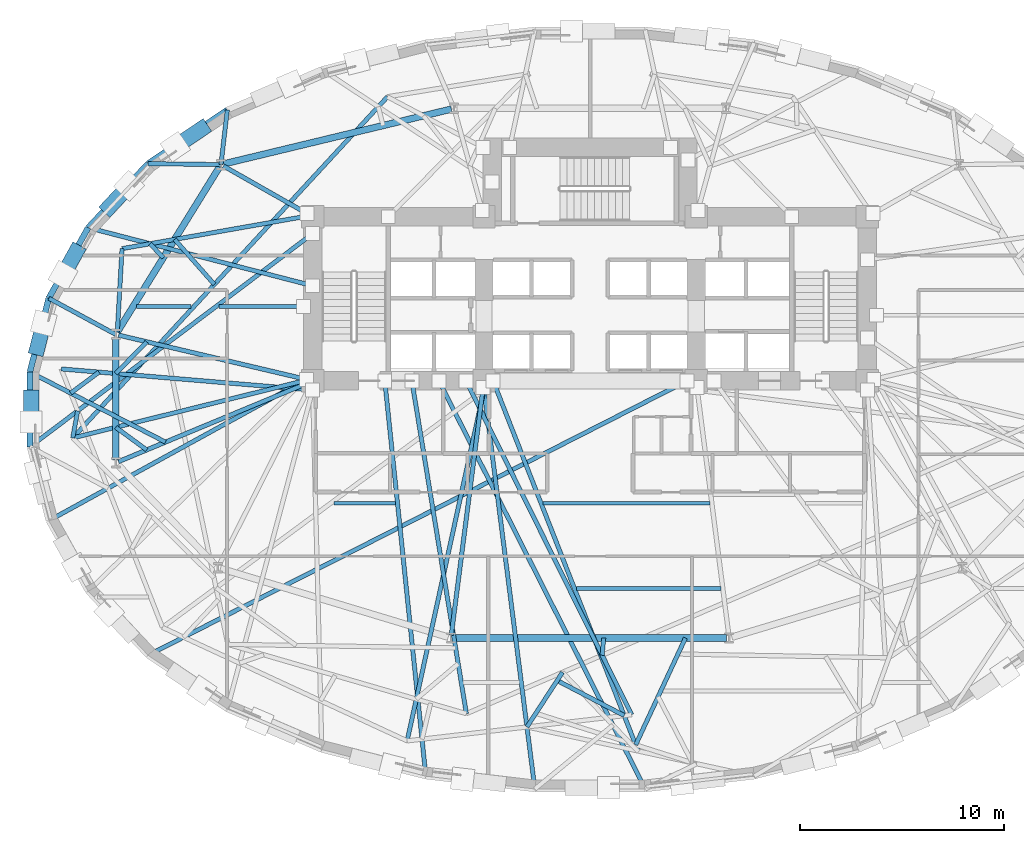
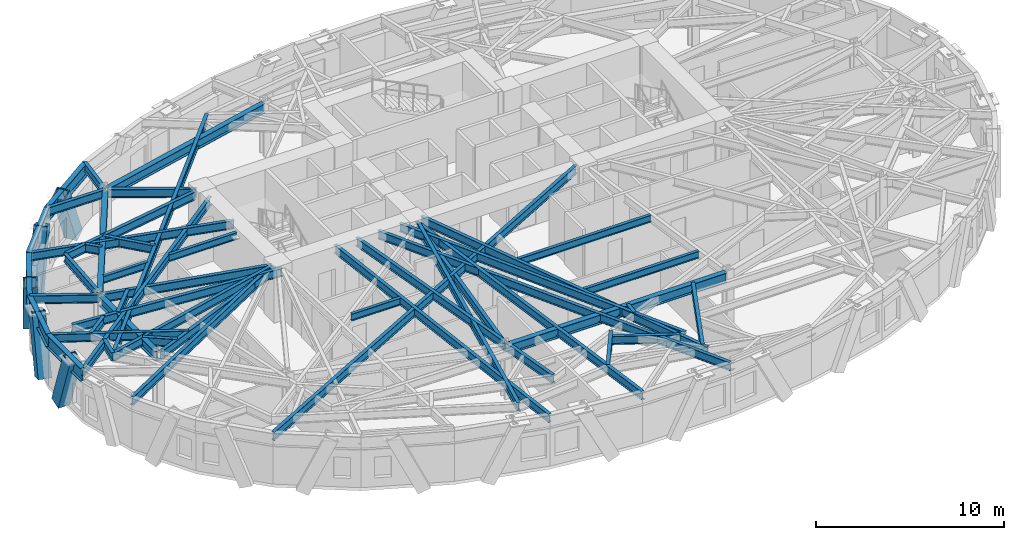
# One storey, part 2 of 14: 48 beams, 5 members.
"""IFC4 building model written with IfcOpenShell, lengths in metres."""

from ifc_helpers import new_model, si_unit, direction, frame, origin, origin_2d, place, context, subcontext, project, spatial, hollow_rectangle, i_section, extrude, material, material_profile, profile_set, type_object, element, save


model = new_model("IFC4")

# Units and contexts
model_context = context("Model", 3, precision=1e-05, world=origin(), true_north=direction((0.0, 1.0)))
body_context = subcontext(model_context, "Body", "Model", "MODEL_VIEW")
ifc_project = project(units=[si_unit("LENGTHUNIT", "METRE"), si_unit("AREAUNIT", "SQUARE_METRE"), si_unit("VOLUMEUNIT", "CUBIC_METRE"), si_unit("PLANEANGLEUNIT", "RADIAN"), si_unit("MASSUNIT", "GRAM", prefix="KILO")], contexts=[model_context])

# Site, building, storey
site_placement = place(None, origin())
site = spatial("IfcSite", under=ifc_project, at=site_placement, CompositionType="ELEMENT")
building_placement = place(site_placement, origin())
building = spatial("IfcBuilding", under=site, at=building_placement, Name="Keldmark Tower", CompositionType="ELEMENT")
storey_placement = place(building_placement, frame((0.0, 0.0, 41.39990234375)))
storey = spatial("IfcBuildingStorey", under=building, at=storey_placement, Name="L10", CompositionType="ELEMENT", Elevation=41.39990234375)

# Beams
ifc_material_1 = material(Name="Steel ASTM A992 Grade 50", Category="steel")
ifc_material_profile_1 = material_profile(ifc_material_1, i_section(OverallWidth=0.19091796875, OverallDepth=0.45703125, WebThickness=0.009033203125, FlangeThickness=0.014404296875, at=origin_2d()), Name="W18X50")
ifc_profile_set_1 = profile_set([ifc_material_profile_1], Name="Steel ASTM A992 Grade 50")
beam_type_1 = type_object("IfcBeamType", Name="Composite Floor Joist W18X50", PredefinedType="JOIST", material=ifc_profile_set_1)
beam_1_placement = place(storey_placement, frame((-0.66064453125, -8.780029296875, 3.171630859375), z_axis=(1.0, 0.0, 0.0), x_axis=(0.0, 1.0, 0.0)))
element("IfcBeam", 1, at=beam_1_placement, inside=storey, type_object=beam_type_1, Name="L10 Composite Floor Joist J05", PredefinedType="JOIST", context=body_context, shape_type="SweptSolid", body=[
    extrude(i_section(OverallWidth=0.19091796875, OverallDepth=0.45703125, WebThickness=0.009033203125, FlangeThickness=0.014404296875, at=origin_2d()), origin(), (0.0, 0.0, 1.0), 7.07177734375),
])
beam_2_placement = place(storey_placement, frame((-12.5537109375, -4.60009765625, 3.171630859375), z_axis=(1.0, 0.0, 0.0), x_axis=(0.0, 1.0, 0.0)))
element("IfcBeam", 2, at=beam_2_placement, inside=storey, type_object=beam_type_1, Name="L10 Composite Floor Joist J07", PredefinedType="JOIST", context=body_context, shape_type="SweptSolid", body=[
    extrude(i_section(OverallWidth=0.19091796875, OverallDepth=0.45703125, WebThickness=0.009033203125, FlangeThickness=0.014404296875, at=origin_2d()), origin(), (0.0, 0.0, 1.0), 3.016357421875),
])
beam_3_placement = place(storey_placement, frame((-2.29736328125, -4.60009765625, 3.171630859375), z_axis=(1.0, 0.0, 0.0), x_axis=(0.0, 1.0, 0.0)))
element("IfcBeam", 3, at=beam_3_placement, inside=storey, type_object=beam_type_1, Name="L10 Composite Floor Joist J08", PredefinedType="JOIST", context=body_context, shape_type="SweptSolid", body=[
    extrude(i_section(OverallWidth=0.19091796875, OverallDepth=0.45703125, WebThickness=0.009033203125, FlangeThickness=0.014404296875, at=origin_2d()), origin(), (0.0, 0.0, 1.0), 8.170654296875),
])
beam_4_placement = place(storey_placement, frame((-22.2294921875, 5.0400390625, 3.171630859375), z_axis=(1.0, 0.0, 0.0), x_axis=(0.0, 1.0, 0.0)))
element("IfcBeam", 4, at=beam_4_placement, inside=storey, type_object=beam_type_1, Name="L10 Composite Floor Joist J11", PredefinedType="JOIST", context=body_context, shape_type="SweptSolid", body=[
    extrude(i_section(OverallWidth=0.19091796875, OverallDepth=0.45703125, WebThickness=0.009033203125, FlangeThickness=0.014404296875, at=origin_2d()), origin(), (0.0, 0.0, 1.0), 2.66943359375),
])
beam_5_placement = place(storey_placement, frame((-18.187255859375, 5.0400390625, 3.171630859375), z_axis=(1.0, 0.0, 0.0), x_axis=(0.0, 1.0, 0.0)))
element("IfcBeam", 5, at=beam_5_placement, inside=storey, type_object=beam_type_1, Name="L10 Composite Floor Joist J12", PredefinedType="JOIST", context=body_context, shape_type="SweptSolid", body=[
    extrude(i_section(OverallWidth=0.19091796875, OverallDepth=0.45703125, WebThickness=0.009033203125, FlangeThickness=0.014404296875, at=origin_2d()), origin(), (0.0, 0.0, 1.0), 4.142333984375),
])

# Members
ifc_material_2 = material(Name="Steel ASTM A572 Grade 50", Category="steel")
ifc_material_profile_2 = material_profile(ifc_material_2, hollow_rectangle(XDim=0.75, YDim=0.75, WallThickness=0.06494140625, at=origin_2d()), Name="BOX750X750X65")
ifc_profile_set_2 = profile_set([ifc_material_profile_2], Name="Steel ASTM A572 Grade 50")
member_type = type_object("IfcMemberType", Name="Diagrid Lower Brace BOX750X750X65", PredefinedType="BRACE", material=ifc_profile_set_2)
member_1_placement = place(storey_placement, frame((-19.043701171875, 13.761474609375, -0.27978515625), z_axis=(-0.333135851451, -0.225711154536, 0.915464351679), x_axis=(0.560913692164, -0.8278742839, 0.0)))
element("IfcMember", 6, at=member_1_placement, inside=storey, type_object=member_type, Name="L10 Perimeter Diagrid Brace 06B", PredefinedType="BRACE", context=body_context, shape_type="SweptSolid", body=[
    extrude(hollow_rectangle(XDim=0.75, YDim=0.75, WallThickness=0.06494140625, at=origin_2d()), origin(), (0.0, 0.0, 1.0), 3.888427734375),
])
member_2_placement = place(storey_placement, frame((-23.58349609375, 9.92138671875, -0.27978515625), z_axis=(0.25500258471, 0.272689889737, 0.92769278634), x_axis=(-0.730397557148, 0.683022260627, 0.0)))
element("IfcMember", 7, at=member_2_placement, inside=storey, type_object=member_type, Name="L10 Perimeter Diagrid Brace 07A", PredefinedType="BRACE", context=body_context, shape_type="SweptSolid", body=[
    extrude(hollow_rectangle(XDim=0.75, YDim=0.75, WallThickness=0.06494140625, at=origin_2d()), origin(), (0.0, 0.0, 1.0), 3.837158203125),
])
member_3_placement = place(storey_placement, frame((-25.19873046875, 7.73193359375, -0.27978515625), z_axis=(-0.169441419499, -0.303579863929, 0.937618723989), x_axis=(0.873195871477, -0.487369438963, 0.0)))
element("IfcMember", 8, at=member_3_placement, inside=storey, type_object=member_type, Name="L10 Perimeter Diagrid Brace 07B", PredefinedType="BRACE", context=body_context, shape_type="SweptSolid", body=[
    extrude(hollow_rectangle(XDim=0.75, YDim=0.75, WallThickness=0.06494140625, at=origin_2d()), origin(), (0.0, 0.0, 1.0), 3.796630859375),
])
member_4_placement = place(storey_placement, frame((-27.099365234375, 3.02294921875, -0.27978515625), z_axis=(0.082013108125, 0.320090623266, 0.94383041008), x_axis=(-0.968708564556, 0.248200960828, 0.0)))
element("IfcMember", 9, at=member_4_placement, inside=storey, type_object=member_type, Name="L10 Perimeter Diagrid Brace 08A", PredefinedType="BRACE", context=body_context, shape_type="SweptSolid", body=[
    extrude(hollow_rectangle(XDim=0.75, YDim=0.75, WallThickness=0.06494140625, at=origin_2d()), origin(), (0.0, 0.0, 1.0), 3.771728515625),
])
member_5_placement = place(storey_placement, frame((-27.40625, 0.60498046875, -0.27978515625), z_axis=(0.0, -0.324660959988, 0.945830461055), x_axis=(1.0, 0.0, 0.0)))
element("IfcMember", 10, at=member_5_placement, inside=storey, type_object=member_type, Name="L10 Perimeter Diagrid Brace 08B", PredefinedType="BRACE", context=body_context, shape_type="SweptSolid", body=[
    extrude(hollow_rectangle(XDim=0.75, YDim=0.75, WallThickness=0.06494140625, at=origin_2d()), origin(), (0.0, 0.0, 1.0), 3.763671875),
])

# Beams
ifc_material_3 = material(Name="Steel ASTM A992 Grade 50", Category="steel")
ifc_material_profile_3 = material_profile(ifc_material_3, i_section(OverallWidth=0.323974609375, OverallDepth=0.611083984375, WebThickness=0.0126953125, FlangeThickness=0.01904296875, at=origin_2d()), Name="W24X104")
ifc_profile_set_3 = profile_set([ifc_material_profile_3], Name="Steel ASTM A992 Grade 50")
beam_type_2 = type_object("IfcBeamType", Name="Primary Floor Girder W24X104", PredefinedType="BEAM", material=ifc_profile_set_3)
beam_6_placement = place(storey_placement, frame((-6.80126953125, 14.727294921875, 3.094482421875), z_axis=(-0.972218707757, -0.2340743136, 0.0), x_axis=(0.2340743136, -0.972218707757, 0.0)))
element("IfcBeam", 11, at=beam_6_placement, inside=storey, type_object=beam_type_2, Name="L10 Floor Ring Girder FG-R04", PredefinedType="BEAM", context=body_context, shape_type="SweptSolid", body=[
    extrude(i_section(OverallWidth=0.323974609375, OverallDepth=0.611083984375, WebThickness=0.0126953125, FlangeThickness=0.01904296875, at=origin_2d()), origin(), (0.0, 0.0, 1.0), 11.479248046875),
])
beam_7_placement = place(storey_placement, frame((-18.17138671875, 11.888427734375, 3.094482421875), z_axis=(-0.526318405849, -0.850287560573, 0.0), x_axis=(0.850287560573, -0.526318405849, 0.0)))
element("IfcBeam", 12, at=beam_7_placement, inside=storey, type_object=beam_type_2, Name="L10 Floor Ring Girder FG-R05", PredefinedType="BEAM", context=body_context, shape_type="SweptSolid", body=[
    extrude(i_section(OverallWidth=0.323974609375, OverallDepth=0.611083984375, WebThickness=0.0126953125, FlangeThickness=0.01904296875, at=origin_2d()), origin(), (0.0, 0.0, 1.0), 9.51708984375),
])
beam_8_placement = place(storey_placement, frame((-23.25390625, 3.537109375, 3.094482421875), z_axis=(0.0, -1.0, 0.0), x_axis=(1.0, 0.0, 0.0)))
element("IfcBeam", 13, at=beam_8_placement, inside=storey, type_object=beam_type_2, Name="L10 Floor Ring Girder FG-R06", PredefinedType="BEAM", context=body_context, shape_type="SweptSolid", body=[
    extrude(i_section(OverallWidth=0.323974609375, OverallDepth=0.611083984375, WebThickness=0.0126953125, FlangeThickness=0.01904296875, at=origin_2d()), origin(), (0.0, 0.0, 1.0), 6.01025390625),
])
beam_9_placement = place(storey_placement, frame((-6.68212890625, -11.205810546875, 3.094482421875), z_axis=(1.0, 0.0, 0.0), x_axis=(0.0, 1.0, 0.0)))
element("IfcBeam", 14, at=beam_9_placement, inside=storey, type_object=beam_type_2, Name="L10 Floor Ring Girder FG-R09", PredefinedType="BEAM", context=body_context, shape_type="SweptSolid", body=[
    extrude(i_section(OverallWidth=0.323974609375, OverallDepth=0.611083984375, WebThickness=0.0126953125, FlangeThickness=0.01904296875, at=origin_2d()), origin(), (0.0, 0.0, 1.0), 13.3642578125),
])
ifc_material_4 = material(Name="Steel ASTM A992 Grade 50", Category="steel")
ifc_material_profile_4 = material_profile(ifc_material_4, i_section(OverallWidth=0.2099609375, OverallDepth=0.537109375, WebThickness=0.010986328125, FlangeThickness=0.017333984375, at=origin_2d()), Name="W21X68")
ifc_profile_set_4 = profile_set([ifc_material_profile_4], Name="Steel ASTM A992 Grade 50")
beam_type_3 = type_object("IfcBeamType", Name="Radial Tie Girder W21X68", PredefinedType="BEAM", material=ifc_profile_set_4)
beam_10_placement = place(storey_placement, frame((-21.740234375, -1.98388671875, 3.131591796875), z_axis=(-0.806632426687, 0.591053405554, 0.0), x_axis=(-0.591053405554, -0.806632426687, 0.0)))
element("IfcBeam", 15, at=beam_10_placement, inside=storey, type_object=beam_type_3, Name="L10 Framing Pin Header PH-005", PredefinedType="BEAM", context=body_context, shape_type="SweptSolid", body=[
    extrude(i_section(OverallWidth=0.2099609375, OverallDepth=0.537109375, WebThickness=0.010986328125, FlangeThickness=0.017333984375, at=origin_2d()), origin(), (0.0, 0.0, 1.0), 1.87646484375),
])
beam_11_placement = place(storey_placement, frame((-14.050048828125, 1.39990234375, 3.131591796875), z_axis=(-0.970791969309, -0.239922804929, 0.0), x_axis=(0.239922804929, -0.970791969309, 0.0)))
element("IfcBeam", 16, at=beam_11_placement, inside=storey, type_object=beam_type_3, Name="L10 Sub-Ring Step Girder STP1-M07", PredefinedType="BEAM", context=body_context, shape_type="SweptSolid", body=[
    extrude(i_section(OverallWidth=0.2099609375, OverallDepth=0.537109375, WebThickness=0.010986328125, FlangeThickness=0.017333984375, at=origin_2d()), origin(), (0.0, 0.0, 1.0), 11.656494140625),
])
beam_12_placement = place(storey_placement, frame((-8.735595703125, 1.39990234375, 3.131591796875), z_axis=(0.161620615206, -0.98685296612, 0.0), x_axis=(0.98685296612, 0.161620615206, 0.0)))
element("IfcBeam", 17, at=beam_12_placement, inside=storey, type_object=beam_type_3, Name="L10 Sub-Ring Step Girder STP1-M09", PredefinedType="BEAM", context=body_context, shape_type="SweptSolid", body=[
    extrude(i_section(OverallWidth=0.2099609375, OverallDepth=0.537109375, WebThickness=0.010986328125, FlangeThickness=0.017333984375, at=origin_2d()), origin(), (0.0, 0.0, 1.0), 16.533203125),
])
beam_13_placement = place(storey_placement, frame((-9.9326171875, 15.33251953125, 3.131591796875), z_axis=(-0.678065786913, -0.735001216746, 0.0), x_axis=(0.735001216746, -0.678065786913, 0.0)))
element("IfcBeam", 18, at=beam_13_placement, inside=storey, type_object=beam_type_3, Name="L10 Perimeter Collector Ring Beam CRG1-M05", PredefinedType="BEAM", context=body_context, shape_type="SweptSolid", body=[
    extrude(i_section(OverallWidth=0.2099609375, OverallDepth=0.537109375, WebThickness=0.010986328125, FlangeThickness=0.017333984375, at=origin_2d()), origin(), (0.0, 0.0, 1.0), 22.7607421875),
])
beam_14_placement = place(storey_placement, frame((-21.73681640625, 3.3193359375, 3.131591796875), z_axis=(-0.697669764864, -0.716419499452, 0.0), x_axis=(0.716419499452, -0.697669764864, 0.0)))
element("IfcBeam", 19, at=beam_14_placement, inside=storey, type_object=beam_type_3, Name="L10 Framing Pin Header PH-010", PredefinedType="BEAM", context=body_context, shape_type="SweptSolid", body=[
    extrude(i_section(OverallWidth=0.2099609375, OverallDepth=0.537109375, WebThickness=0.010986328125, FlangeThickness=0.017333984375, at=origin_2d()), origin(), (0.0, 0.0, 1.0), 2.174560546875),
])
beam_15_placement = place(storey_placement, frame((-13.60009765625, 0.949951171875, 3.131591796875), z_axis=(-0.996486036928, 0.083759048507, 0.0), x_axis=(-0.083759048507, -0.996486036928, 0.0)))
element("IfcBeam", 20, at=beam_15_placement, inside=storey, type_object=beam_type_3, Name="L10 Sub-Ring Step Girder STP2-M07", PredefinedType="BEAM", context=body_context, shape_type="SweptSolid", body=[
    extrude(i_section(OverallWidth=0.2099609375, OverallDepth=0.537109375, WebThickness=0.010986328125, FlangeThickness=0.017333984375, at=origin_2d()), origin(), (0.0, 0.0, 1.0), 12.373291015625),
])
beam_16_placement = place(storey_placement, frame((-5.199951171875, 0.949951171875, 3.131591796875), z_axis=(-0.213990447824, -0.976835752949, 0.0), x_axis=(0.976835752949, -0.213990447824, 0.0)))
element("IfcBeam", 21, at=beam_16_placement, inside=storey, type_object=beam_type_3, Name="L10 Sub-Ring Step Girder STP2-M09", PredefinedType="BEAM", context=body_context, shape_type="SweptSolid", body=[
    extrude(i_section(OverallWidth=0.2099609375, OverallDepth=0.537109375, WebThickness=0.010986328125, FlangeThickness=0.017333984375, at=origin_2d()), origin(), (0.0, 0.0, 1.0), 17.608642578125),
])
beam_17_placement = place(storey_placement, frame((0.668212890625, -11.205810546875, 3.131591796875), z_axis=(-0.088438496664, -0.996081639379, 0.0), x_axis=(0.996081639379, -0.088438496664, 0.0)))
element("IfcBeam", 22, at=beam_17_placement, inside=storey, type_object=beam_type_3, Name="L10 Framing Pin Header PH-013", PredefinedType="BEAM", context=body_context, shape_type="SweptSolid", body=[
    extrude(i_section(OverallWidth=0.2099609375, OverallDepth=0.537109375, WebThickness=0.010986328125, FlangeThickness=0.017333984375, at=origin_2d()), origin(), (0.0, 0.0, 1.0), 0.850341796875),
])
beam_18_placement = place(storey_placement, frame((-6.07861328125, 1.39990234375, 3.131591796875), z_axis=(0.444303636595, -0.895876262945, 0.0), x_axis=(0.895876262945, 0.444303636595, 0.0)))
element("IfcBeam", 23, at=beam_18_placement, inside=storey, type_object=beam_type_3, Name="L10 Sub-Ring Step Girder STP2-M10", PredefinedType="BEAM", context=body_context, shape_type="SweptSolid", body=[
    extrude(i_section(OverallWidth=0.2099609375, OverallDepth=0.537109375, WebThickness=0.010986328125, FlangeThickness=0.017333984375, at=origin_2d()), origin(), (0.0, 0.0, 1.0), 18.27099609375),
])
beam_19_placement = place(storey_placement, frame((-18.09765625, 12.00732421875, 3.131591796875), z_axis=(0.115438533169, 0.993314625413, 0.0), x_axis=(-0.993314625413, 0.115438533169, 0.0)))
element("IfcBeam", 24, at=beam_19_placement, inside=storey, type_object=beam_type_3, Name="L10 Perimeter Column Bracket RT-12", PredefinedType="BEAM", context=body_context, shape_type="SweptSolid", body=[
    extrude(i_section(OverallWidth=0.2099609375, OverallDepth=0.537109375, WebThickness=0.010986328125, FlangeThickness=0.017333984375, at=origin_2d()), origin(), (0.0, 0.0, 1.0), 2.696533203125),
])
beam_20_placement = place(storey_placement, frame((-18.09765625, 12.00732421875, 3.131591796875), z_axis=(-0.999921071329, 0.012563881257, 0.0), x_axis=(-0.012563881257, -0.999921071329, 0.0)))
element("IfcBeam", 25, at=beam_20_placement, inside=storey, type_object=beam_type_3, Name="L10 Perimeter Column Bracket RT-13", PredefinedType="BEAM", context=body_context, shape_type="SweptSolid", body=[
    extrude(i_section(OverallWidth=0.2099609375, OverallDepth=0.537109375, WebThickness=0.010986328125, FlangeThickness=0.017333984375, at=origin_2d()), origin(), (0.0, 0.0, 1.0), 3.575439453125),
])
beam_21_placement = place(storey_placement, frame((-18.4208984375, 6.13134765625, 3.131591796875), z_axis=(-0.661739577532, 0.749733773767, 0.0), x_axis=(-0.749733773767, -0.661739577532, 0.0)))
element("IfcBeam", 26, at=beam_21_placement, inside=storey, type_object=beam_type_3, Name="L10 Framing Pin Header PH-022", PredefinedType="BEAM", context=body_context, shape_type="SweptSolid", body=[
    extrude(i_section(OverallWidth=0.2099609375, OverallDepth=0.537109375, WebThickness=0.010986328125, FlangeThickness=0.017333984375, at=origin_2d()), origin(), (0.0, 0.0, 1.0), 2.94384765625),
])
beam_22_placement = place(storey_placement, frame((-14.050048828125, 9.449951171875, 3.131591796875), z_axis=(-0.984876463888, -0.173258047087, 0.0), x_axis=(0.173258047087, -0.984876463888, 0.0)))
element("IfcBeam", 27, at=beam_22_placement, inside=storey, type_object=beam_type_3, Name="L10 Intermediate Radial Step Girder RT-14M", PredefinedType="BEAM", context=body_context, shape_type="SweptSolid", body=[
    extrude(i_section(OverallWidth=0.2099609375, OverallDepth=0.537109375, WebThickness=0.010986328125, FlangeThickness=0.017333984375, at=origin_2d()), origin(), (0.0, 0.0, 1.0), 9.033935546875),
])
beam_23_placement = place(storey_placement, frame((-23.180419921875, 3.796142578125, 3.131591796875), z_axis=(0.056932645284, 0.998378021543, 0.0), x_axis=(-0.998378021543, 0.056932645284, 0.0)))
element("IfcBeam", 28, at=beam_23_placement, inside=storey, type_object=beam_type_3, Name="L10 Local Collector Chord RT-14C", PredefinedType="BEAM", context=body_context, shape_type="SweptSolid", body=[
    extrude(i_section(OverallWidth=0.2099609375, OverallDepth=0.537109375, WebThickness=0.010986328125, FlangeThickness=0.017333984375, at=origin_2d()), origin(), (0.0, 0.0, 1.0), 4.09521484375),
])
beam_24_placement = place(storey_placement, frame((-20.92626953125, 7.437744140625, 3.131591796875), z_axis=(-0.683036945409, 0.730383824579, 0.0), x_axis=(-0.730383824579, -0.683036945409, 0.0)))
element("IfcBeam", 29, at=beam_24_placement, inside=storey, type_object=beam_type_3, Name="L10 Framing Pin Header PH-023", PredefinedType="BEAM", context=body_context, shape_type="SweptSolid", body=[
    extrude(i_section(OverallWidth=0.2099609375, OverallDepth=0.537109375, WebThickness=0.010986328125, FlangeThickness=0.017333984375, at=origin_2d()), origin(), (0.0, 0.0, 1.0), 0.943603515625),
])
beam_25_placement = place(storey_placement, frame((-13.60009765625, 6.064208984375, 3.131591796875), z_axis=(-0.96811154628, 0.250519528099, 0.0), x_axis=(-0.250519528099, -0.96811154628, 0.0)))
element("IfcBeam", 30, at=beam_25_placement, inside=storey, type_object=beam_type_3, Name="L10 Perimeter Radial Tie Girder RT-14", PredefinedType="BEAM", context=body_context, shape_type="SweptSolid", body=[
    extrude(i_section(OverallWidth=0.2099609375, OverallDepth=0.537109375, WebThickness=0.010986328125, FlangeThickness=0.017333984375, at=origin_2d()), origin(), (0.0, 0.0, 1.0), 11.370849609375),
])
beam_26_placement = place(storey_placement, frame((-23.25390625, 3.67724609375, 3.131591796875), z_axis=(-0.8794299536, 0.476028315031, 0.0), x_axis=(-0.476028315031, -0.8794299536, 0.0)))
element("IfcBeam", 31, at=beam_26_placement, inside=storey, type_object=beam_type_3, Name="L10 Perimeter Column Bracket RT-15", PredefinedType="BEAM", context=body_context, shape_type="SweptSolid", body=[
    extrude(i_section(OverallWidth=0.2099609375, OverallDepth=0.537109375, WebThickness=0.010986328125, FlangeThickness=0.017333984375, at=origin_2d()), origin(), (0.0, 0.0, 1.0), 3.734619140625),
])
beam_27_placement = place(storey_placement, frame((-24.080322265625, 1.830810546875, 3.131591796875), z_axis=(-0.802099318173, -0.597190659493, 0.0), x_axis=(0.597190659493, -0.802099318173, 0.0)))
element("IfcBeam", 32, at=beam_27_placement, inside=storey, type_object=beam_type_3, Name="L10 Framing Pin Header PH-024", PredefinedType="BEAM", context=body_context, shape_type="SweptSolid", body=[
    extrude(i_section(OverallWidth=0.2099609375, OverallDepth=0.537109375, WebThickness=0.010986328125, FlangeThickness=0.017333984375, at=origin_2d()), origin(), (0.0, 0.0, 1.0), 1.726318359375),
])
beam_28_placement = place(storey_placement, frame((-20.8173828125, -1.600341796875, 3.131591796875), z_axis=(-0.888517255374, 0.458843205138, 0.0), x_axis=(-0.458843205138, -0.888517255374, 0.0)))
element("IfcBeam", 33, at=beam_28_placement, inside=storey, type_object=beam_type_3, Name="L10 Perimeter Radial Tie Girder RT-16", PredefinedType="BEAM", context=body_context, shape_type="SweptSolid", body=[
    extrude(i_section(OverallWidth=0.2099609375, OverallDepth=0.537109375, WebThickness=0.010986328125, FlangeThickness=0.017333984375, at=origin_2d()), origin(), (0.0, 0.0, 1.0), 7.482666015625),
])
beam_29_placement = place(storey_placement, frame((-25.365966796875, -1.396728515625, 3.131591796875), z_axis=(0.178455825361, 0.983947924636, 0.0), x_axis=(-0.983947924636, 0.178455825361, 0.0)))
element("IfcBeam", 34, at=beam_29_placement, inside=storey, type_object=beam_type_3, Name="L10 Framing Pin Header PH-025", PredefinedType="BEAM", context=body_context, shape_type="SweptSolid", body=[
    extrude(i_section(OverallWidth=0.2099609375, OverallDepth=0.537109375, WebThickness=0.010986328125, FlangeThickness=0.017333984375, at=origin_2d()), origin(), (0.0, 0.0, 1.0), 1.350341796875),
])
beam_30_placement = place(storey_placement, frame((-13.60009765625, 8.621337890625, 3.131591796875), z_axis=(-0.798475663961, -0.602027087482, 0.0), x_axis=(0.602027087482, -0.798475663961, 0.0)))
element("IfcBeam", 35, at=beam_30_placement, inside=storey, type_object=beam_type_3, Name="L10 Perimeter Radial Tie Girder RT-17", PredefinedType="BEAM", context=body_context, shape_type="SweptSolid", body=[
    extrude(i_section(OverallWidth=0.2099609375, OverallDepth=0.537109375, WebThickness=0.010986328125, FlangeThickness=0.017333984375, at=origin_2d()), origin(), (0.0, 0.0, 1.0), 17.365234375),
])
beam_31_placement = place(storey_placement, frame((-14.050048828125, 1.39990234375, 3.131591796875), z_axis=(-0.876617956522, -0.481187030482, 0.0), x_axis=(0.481187030482, -0.876617956522, 0.0)))
element("IfcBeam", 36, at=beam_31_placement, inside=storey, type_object=beam_type_3, Name="L10 Perimeter Radial Tie Girder RT-18", PredefinedType="BEAM", context=body_context, shape_type="SweptSolid", body=[
    extrude(i_section(OverallWidth=0.2099609375, OverallDepth=0.537109375, WebThickness=0.010986328125, FlangeThickness=0.017333984375, at=origin_2d()), origin(), (0.0, 0.0, 1.0), 14.24609375),
])
beam_32_placement = place(storey_placement, frame((4.75, 1.39990234375, 3.131591796875), z_axis=(-0.891156094168, -0.453696832508, 0.0), x_axis=(0.453696832508, -0.891156094168, 0.0)))
element("IfcBeam", 37, at=beam_32_placement, inside=storey, type_object=beam_type_3, Name="L10 Perimeter Radial Tie Girder RT-20", PredefinedType="BEAM", context=body_context, shape_type="SweptSolid", body=[
    extrude(i_section(OverallWidth=0.2099609375, OverallDepth=0.537109375, WebThickness=0.010986328125, FlangeThickness=0.017333984375, at=origin_2d()), origin(), (0.0, 0.0, 1.0), 29.650146484375),
])
beam_33_placement = place(storey_placement, frame((-10.064208984375, 1.39990234375, 3.131591796875), z_axis=(0.103347098695, -0.994645352471, 0.0), x_axis=(0.994645352471, 0.103347098695, 0.0)))
element("IfcBeam", 38, at=beam_33_placement, inside=storey, type_object=beam_type_3, Name="L10 Perimeter Radial Tie Girder RT-23", PredefinedType="BEAM", context=body_context, shape_type="SweptSolid", body=[
    extrude(i_section(OverallWidth=0.2099609375, OverallDepth=0.537109375, WebThickness=0.010986328125, FlangeThickness=0.017333984375, at=origin_2d()), origin(), (0.0, 0.0, 1.0), 19.48681640625),
])
beam_34_placement = place(storey_placement, frame((-1.34912109375, -12.88818359375, 3.131591796875), z_axis=(-0.54576672663, -0.83793715761, 0.0), x_axis=(0.83793715761, -0.54576672663, 0.0)))
element("IfcBeam", 39, at=beam_34_placement, inside=storey, type_object=beam_type_3, Name="L10 Framing Pin Header PH-032", PredefinedType="BEAM", context=body_context, shape_type="SweptSolid", body=[
    extrude(i_section(OverallWidth=0.2099609375, OverallDepth=0.537109375, WebThickness=0.010986328125, FlangeThickness=0.017333984375, at=origin_2d()), origin(), (0.0, 0.0, 1.0), 3.1962890625),
])
beam_35_placement = place(storey_placement, frame((-5.199951171875, 0.949951171875, 3.131591796875), z_axis=(0.126518099542, -0.991964298999, 0.0), x_axis=(0.991964298999, 0.126518099542, 0.0)))
element("IfcBeam", 40, at=beam_35_placement, inside=storey, type_object=beam_type_3, Name="L10 Perimeter Radial Tie Girder RT-24", PredefinedType="BEAM", context=body_context, shape_type="SweptSolid", body=[
    extrude(i_section(OverallWidth=0.2099609375, OverallDepth=0.537109375, WebThickness=0.010986328125, FlangeThickness=0.017333984375, at=origin_2d()), origin(), (0.0, 0.0, 1.0), 19.719482421875),
])
beam_36_placement = place(storey_placement, frame((-1.61083984375, -13.289794921875, 3.131591796875), z_axis=(0.885872748, -0.463928307339, 0.0), x_axis=(0.463928307339, 0.885872748, 0.0)))
element("IfcBeam", 41, at=beam_36_placement, inside=storey, type_object=beam_type_3, Name="L10 Framing Pin Header PH-033", PredefinedType="BEAM", context=body_context, shape_type="SweptSolid", body=[
    extrude(i_section(OverallWidth=0.2099609375, OverallDepth=0.537109375, WebThickness=0.010986328125, FlangeThickness=0.017333984375, at=origin_2d()), origin(), (0.0, 0.0, 1.0), 3.7099609375),
])
beam_37_placement = place(storey_placement, frame((-4.75, 1.39990234375, 3.131591796875), z_axis=(0.364599612987, -0.93116439054, 0.0), x_axis=(0.93116439054, 0.364599612987, 0.0)))
element("IfcBeam", 42, at=beam_37_placement, inside=storey, type_object=beam_type_3, Name="L10 Intermediate Radial Step Girder RT-25M", PredefinedType="BEAM", context=body_context, shape_type="SweptSolid", body=[
    extrude(i_section(OverallWidth=0.2099609375, OverallDepth=0.537109375, WebThickness=0.010986328125, FlangeThickness=0.017333984375, at=origin_2d()), origin(), (0.0, 0.0, 1.0), 19.53466796875),
])
beam_38_placement = place(storey_placement, frame((-7.406982421875, 1.39990234375, 3.131591796875), z_axis=(0.451011997256, -0.892517886841, 0.0), x_axis=(0.892517886841, 0.451011997256, 0.0)))
element("IfcBeam", 43, at=beam_38_placement, inside=storey, type_object=beam_type_3, Name="L10 Perimeter Radial Tie Girder RT-25", PredefinedType="BEAM", context=body_context, shape_type="SweptSolid", body=[
    extrude(i_section(OverallWidth=0.2099609375, OverallDepth=0.537109375, WebThickness=0.010986328125, FlangeThickness=0.017333984375, at=origin_2d()), origin(), (0.0, 0.0, 1.0), 22.4208984375),
])
beam_39_placement = place(storey_placement, frame((4.677490234375, -11.205810546875, 3.131591796875), z_axis=(-0.422170829985, -0.906516293461, 0.0), x_axis=(0.906516293461, -0.422170829985, 0.0)))
element("IfcBeam", 44, at=beam_39_placement, inside=storey, type_object=beam_type_3, Name="L10 Framing Pin Header PH-035", PredefinedType="BEAM", context=body_context, shape_type="SweptSolid", body=[
    extrude(i_section(OverallWidth=0.2099609375, OverallDepth=0.537109375, WebThickness=0.010986328125, FlangeThickness=0.017333984375, at=origin_2d()), origin(), (0.0, 0.0, 1.0), 5.780029296875),
])
ifc_material_5 = material(Name="Steel ASTM A992 Grade 50", Category="steel")
ifc_material_profile_5 = material_profile(ifc_material_5, i_section(OverallWidth=0.214111328125, OverallDepth=0.549072265625, WebThickness=0.0146484375, FlangeThickness=0.023681640625, at=origin_2d()), Name="W21X93")
ifc_profile_set_5 = profile_set([ifc_material_profile_5], Name="Steel ASTM A992 Grade 50")
beam_type_4 = type_object("IfcBeamType", Name="Radial Tie Girder W21X93", PredefinedType="BEAM", material=ifc_profile_set_5)
beam_40_placement = place(storey_placement, frame((-17.97607421875, 11.938232421875, 3.12548828125), z_axis=(0.869299282131, -0.494286109542, 0.0), x_axis=(0.494286109542, 0.869299282131, 0.0)))
element("IfcBeam", 45, at=beam_40_placement, inside=storey, type_object=beam_type_4, Name="L10 Floor Radial Girder FG-C05", PredefinedType="BEAM", context=body_context, shape_type="SweptSolid", body=[
    extrude(i_section(OverallWidth=0.214111328125, OverallDepth=0.549072265625, WebThickness=0.0146484375, FlangeThickness=0.023681640625, at=origin_2d()), origin(), (0.0, 0.0, 1.0), 4.714111328125),
])
beam_41_placement = place(storey_placement, frame((-23.11767578125, 3.64501953125, 3.12548828125), z_axis=(0.973287364179, -0.229590301909, 0.0), x_axis=(0.229590301909, 0.973287364179, 0.0)))
element("IfcBeam", 46, at=beam_41_placement, inside=storey, type_object=beam_type_4, Name="L10 Floor Radial Girder FG-C06", PredefinedType="BEAM", context=body_context, shape_type="SweptSolid", body=[
    extrude(i_section(OverallWidth=0.214111328125, OverallDepth=0.549072265625, WebThickness=0.0146484375, FlangeThickness=0.023681640625, at=origin_2d()), origin(), (0.0, 0.0, 1.0), 9.458740234375),
])
beam_42_placement = place(storey_placement, frame((-23.124755859375, -2.5595703125, 3.12548828125), z_axis=(0.923390978102, 0.383860784088, 0.0), x_axis=(-0.383860784088, 0.923390978102, 0.0)))
element("IfcBeam", 47, at=beam_42_placement, inside=storey, type_object=beam_type_4, Name="L10 Floor Radial Girder FG-C07", PredefinedType="BEAM", context=body_context, shape_type="SweptSolid", body=[
    extrude(i_section(OverallWidth=0.214111328125, OverallDepth=0.549072265625, WebThickness=0.0146484375, FlangeThickness=0.023681640625, at=origin_2d()), origin(), (0.0, 0.0, 1.0), 9.994873046875),
])
beam_43_placement = place(storey_placement, frame((-6.80419921875, -11.06689453125, 3.12548828125), z_axis=(0.127634898593, 0.99182122011, 0.0), x_axis=(-0.99182122011, 0.127634898593, 0.0)))
element("IfcBeam", 48, at=beam_43_placement, inside=storey, type_object=beam_type_4, Name="L10 Floor Radial Girder FG-C09", PredefinedType="BEAM", context=body_context, shape_type="SweptSolid", body=[
    extrude(i_section(OverallWidth=0.214111328125, OverallDepth=0.549072265625, WebThickness=0.0146484375, FlangeThickness=0.023681640625, at=origin_2d()), origin(), (0.0, 0.0, 1.0), 12.24951171875),
])
ifc_material_6 = material(Name="Steel ASTM A992 Grade 50", Category="steel")
ifc_material_profile_6 = material_profile(ifc_material_6, i_section(OverallWidth=0.2919921875, OverallDepth=0.85888671875, WebThickness=0.01708984375, FlangeThickness=0.031005859375, at=origin_2d()), Name="W33X169")
ifc_profile_set_6 = profile_set([ifc_material_profile_6], Name="Steel ASTM A992 Grade 50")
beam_type_5 = type_object("IfcBeamType", Name="Spandrel Ring Beam W33X169", PredefinedType="SPANDREL", material=ifc_profile_set_6)
beam_44_placement = place(storey_placement, frame((-17.786376953125, 14.685791015625, 2.970703125), z_axis=(-0.827842346852, -0.560960826402, 0.0), x_axis=(0.560960826402, -0.827842346852, 0.0)))
element("IfcBeam", 49, at=beam_44_placement, inside=storey, type_object=beam_type_5, Name="L10 Perimeter Spandrel Ring Beam SRB-12", PredefinedType="SPANDREL", context=body_context, shape_type="SweptSolid", body=[
    extrude(i_section(OverallWidth=0.2919921875, OverallDepth=0.85888671875, WebThickness=0.01708984375, FlangeThickness=0.031005859375, at=origin_2d()), origin(), (0.0, 0.0, 1.0), 4.69482421875),
])
beam_45_placement = place(storey_placement, frame((-21.6728515625, 12.05224609375, 2.970703125), z_axis=(-0.68299392258, -0.730424056093, 0.0), x_axis=(0.730424056093, -0.68299392258, 0.0)))
element("IfcBeam", 50, at=beam_45_placement, inside=storey, type_object=beam_type_5, Name="L10 Perimeter Spandrel Ring Beam SRB-13", PredefinedType="SPANDREL", context=body_context, shape_type="SweptSolid", body=[
    extrude(i_section(OverallWidth=0.2919921875, OverallDepth=0.85888671875, WebThickness=0.01708984375, FlangeThickness=0.031005859375, at=origin_2d()), origin(), (0.0, 0.0, 1.0), 4.298095703125),
])
beam_46_placement = place(storey_placement, frame((-24.6083984375, 8.912841796875, 2.970703125), z_axis=(-0.487369438963, -0.873195871477, 0.0), x_axis=(0.873195871477, -0.487369438963, 0.0)))
element("IfcBeam", 51, at=beam_46_placement, inside=storey, type_object=beam_type_5, Name="L10 Perimeter Spandrel Ring Beam SRB-14", PredefinedType="SPANDREL", context=body_context, shape_type="SweptSolid", body=[
    extrude(i_section(OverallWidth=0.2919921875, OverallDepth=0.85888671875, WebThickness=0.01708984375, FlangeThickness=0.031005859375, at=origin_2d()), origin(), (0.0, 0.0, 1.0), 3.9599609375),
])
beam_47_placement = place(storey_placement, frame((-26.538330078125, 5.455078125, 2.970703125), z_axis=(-0.248062710061, -0.968743976434, 0.0), x_axis=(0.968743976434, -0.248062710061, 0.0)))
element("IfcBeam", 52, at=beam_47_placement, inside=storey, type_object=beam_type_5, Name="L10 Perimeter Spandrel Ring Beam SRB-15", PredefinedType="SPANDREL", context=body_context, shape_type="SweptSolid", body=[
    extrude(i_section(OverallWidth=0.2919921875, OverallDepth=0.85888671875, WebThickness=0.01708984375, FlangeThickness=0.031005859375, at=origin_2d()), origin(), (0.0, 0.0, 1.0), 3.739013671875),
])
beam_48_placement = place(storey_placement, frame((-27.4658203125, 1.8330078125, 2.970703125), z_axis=(0.0, -1.0, 0.0), x_axis=(1.0, 0.0, 0.0)))
element("IfcBeam", 53, at=beam_48_placement, inside=storey, type_object=beam_type_5, Name="L10 Perimeter Spandrel Ring Beam SRB-16", PredefinedType="SPANDREL", context=body_context, shape_type="SweptSolid", body=[
    extrude(i_section(OverallWidth=0.2919921875, OverallDepth=0.85888671875, WebThickness=0.01708984375, FlangeThickness=0.031005859375, at=origin_2d()), origin(), (0.0, 0.0, 1.0), 3.666015625),
])

save(model, "model.ifc")
